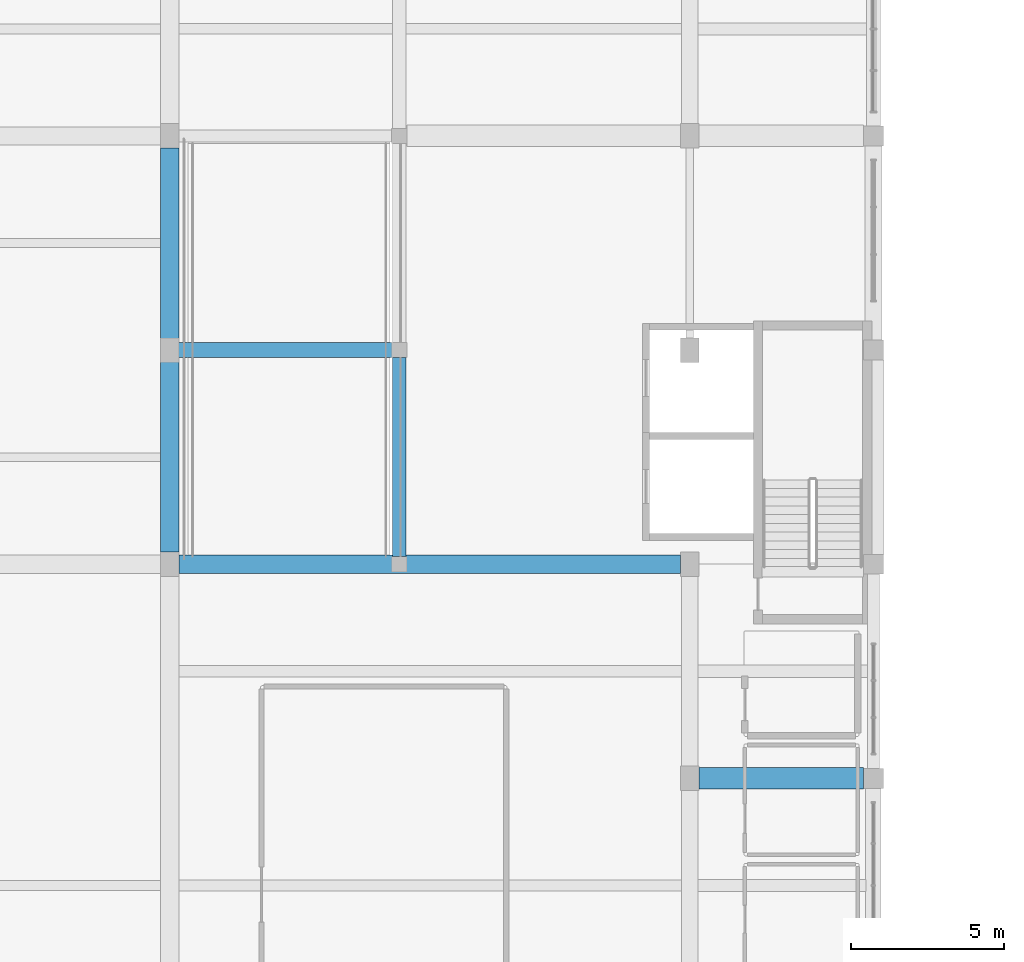
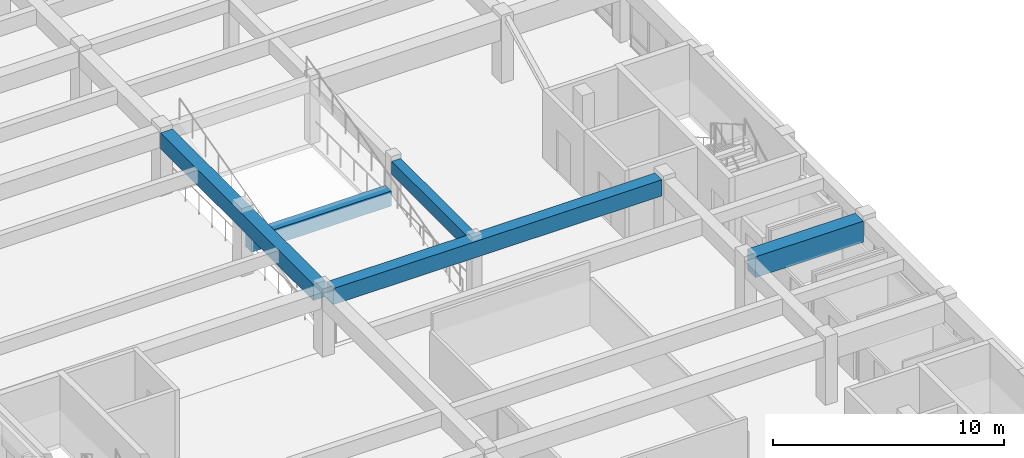
# One storey, part 38 of 77: 5 beams.
"""IFC4 building model written with IfcOpenShell, lengths in metres."""

import ifcopenshell
import ifcopenshell.guid

model = None  # the IFC model being written
_history = None  # IfcOwnerHistory: only IFC2X3 demands one
_inside = {}  # id of a spatial element -> (the spatial element, [elements in it])
_under = {}  # id of a project, library or spatial element -> (it, [spatial elements below it])
_declared = {}  # id of a project -> (the project, [libraries it declares])
_typed = {}  # id of a type object -> (the type object, [elements of that type])
_made_of = {}  # id of a material, layer set ... -> (it, [elements and type objects made of it])


def new_model(schema):
    """Start an empty IFC model of exactly this schema.

    Asked for "IFC4X3", IfcOpenShell would pick the latest addendum, in which some entities
    have other attributes; the version numbers below select the first issue.
    IFC2X3 requires an IfcOwnerHistory on every rooted entity: one is made here for all.
    """
    global model, _history
    if schema == "IFC4X3":
        model = ifcopenshell.file(schema_version=(4, 3, 0, 0))
    else:
        model = ifcopenshell.file(schema=schema)
    _inside.clear()
    _under.clear()
    _declared.clear()
    _typed.clear()
    _made_of.clear()
    _history = None
    if model.schema == "IFC2X3":
        org = make("IfcOrganization", Name="unknown")
        user = make(
            "IfcPersonAndOrganization",
            ThePerson=make("IfcPerson", FamilyName="unknown"),
            TheOrganization=org,
        )
        app = make(
            "IfcApplication",
            ApplicationDeveloper=org,
            Version="unknown",
            ApplicationFullName="unknown",
            ApplicationIdentifier="unknown",
        )
        _history = make(
            "IfcOwnerHistory",
            OwningUser=user,
            OwningApplication=app,
            ChangeAction="ADDED",
            CreationDate=0,
        )
    return model


def make(cls, **values):
    """One entity of the class cls with the attributes given. An attribute that is None is left unset."""
    return model.create_entity(
        cls, **{name: value for name, value in values.items() if value is not None}
    )


def rooted(cls, **values):
    """An entity with a GlobalId (a new one), such as an element, a storey or a relation."""
    return make(cls, GlobalId=ifcopenshell.guid.new(), OwnerHistory=_history, **values)


def si_unit(unit_type, name, prefix=None):
    """IfcSIUnit, for example si_unit("LENGTHUNIT", "METRE", prefix="MILLI")."""
    return make("IfcSIUnit", UnitType=unit_type, Prefix=prefix, Name=name)


def assignment(units):
    """IfcUnitAssignment: the units of a project."""
    return None if units is None else make("IfcUnitAssignment", Units=units)


def point(xyz):
    """IfcCartesianPoint."""
    return None if xyz is None else make("IfcCartesianPoint", Coordinates=xyz)


def direction(xyz):
    """IfcDirection."""
    return None if xyz is None else make("IfcDirection", DirectionRatios=xyz)


def frame(location, z_axis=None, x_axis=None):
    """IfcAxis2Placement3D, a coordinate frame: its origin and axes. An axis left out is left unset."""
    return make(
        "IfcAxis2Placement3D",
        Location=point(location),
        Axis=direction(z_axis),
        RefDirection=direction(x_axis),
    )


def frame_2d(location, x_axis=None):
    """IfcAxis2Placement2D, a coordinate frame in the plane: its origin and x axis."""
    return make(
        "IfcAxis2Placement2D", Location=point(location), RefDirection=direction(x_axis)
    )


def origin():
    """The frame at (0, 0, 0) with its axes left unset."""
    return frame((0.0, 0.0, 0.0))


def origin_2d():
    """The frame at (0, 0) in the plane with its x axis left unset."""
    return frame_2d((0.0, 0.0))


def place(relative_to, where):
    """IfcLocalPlacement: puts the frame where relative to a parent placement (None: the world)."""
    return make(
        "IfcLocalPlacement", PlacementRelTo=relative_to, RelativePlacement=where
    )


def context(
    kind, dimensions, precision=None, world=None, true_north=None, identifier=None
):
    """IfcGeometricRepresentationContext, for example the 3D "Model" context."""
    return make(
        "IfcGeometricRepresentationContext",
        ContextIdentifier=identifier,
        ContextType=kind,
        CoordinateSpaceDimension=dimensions,
        Precision=precision,
        WorldCoordinateSystem=world,
        TrueNorth=true_north,
    )


def subcontext(parent, identifier, kind, view, scale=None):
    """IfcGeometricRepresentationSubContext, for example "Body" below "Model"."""
    return make(
        "IfcGeometricRepresentationSubContext",
        ContextIdentifier=identifier,
        ContextType=kind,
        ParentContext=parent,
        TargetScale=scale,
        TargetView=view,
    )


def project(units=None, contexts=None):
    """IfcProject with its units and contexts."""
    return rooted(
        "IfcProject",
        Name="project",
        RepresentationContexts=contexts,
        UnitsInContext=assignment(units),
    )


def spatial(cls, under=None, at=None, **own):
    """A site, building, storey or space (cls), placed at a placement, below another one or the project."""
    s = rooted(cls, ObjectPlacement=at, **own)
    if under is not None:
        _under.setdefault(under.id(), (under, []))[1].append(s)
    return s


def profile(cls, at=None, kind="AREA", **sizes):
    """A parametric profile (cls). Its sizes go by their IFC names, for example OverallWidth=200.0."""
    return make(cls, ProfileType=kind, Position=at, **sizes)


def rectangle(**sizes):
    """IfcRectangleProfileDef."""
    return profile("IfcRectangleProfileDef", **sizes)


def extrude(swept, where, along, depth):
    """IfcExtrudedAreaSolid: the profile swept, set in the frame where, extruded along a direction by depth."""
    return make(
        "IfcExtrudedAreaSolid",
        SweptArea=swept,
        Position=where,
        ExtrudedDirection=direction(along),
        Depth=depth,
    )


def shape(context_of_items, identifier, shape_type, items):
    """IfcShapeRepresentation: the items that make up one representation, for example the "Body"."""
    return make(
        "IfcShapeRepresentation",
        ContextOfItems=context_of_items,
        RepresentationIdentifier=identifier,
        RepresentationType=shape_type,
        Items=items,
    )


def material(Name=None, Category=None):
    """IfcMaterial."""
    return make("IfcMaterial", Name=Name, Category=Category)


def material_profile(
    of_material, cross_section, Name=None, Category=None, Priority=None
):
    """IfcMaterialProfile: a cross section and its material."""
    return make(
        "IfcMaterialProfile",
        Name=Name,
        Material=of_material,
        Profile=cross_section,
        Priority=Priority,
        Category=Category,
    )


def profile_set(profiles, Name=None, composite=None):
    """IfcMaterialProfileSet."""
    return make(
        "IfcMaterialProfileSet",
        Name=Name,
        MaterialProfiles=profiles,
        CompositeProfile=composite,
    )


def made_of(thing, what):
    """Note that an element or type object is made of a material, layer set ...; save() writes the relation."""
    if what is not None:
        _made_of.setdefault(what.id(), (what, []))[1].append(thing)
    return thing


def type_object(cls, material=None, **own):
    """A type object (cls), such as IfcWallType, which elements share."""
    return made_of(rooted(cls, **own), material)


def element(
    cls,
    number,
    at=None,
    inside=None,
    cuts=None,
    type_object=None,
    material=None,
    context=None,
    identifier="Body",
    shape_type=None,
    held_by="IfcProductDefinitionShape",
    body=None,
    shapes=None,
    **own,
):
    """One element of the class cls, such as IfcWall. Its Tag is "e" and its number.

    at: its placement. inside: the storey or other place that contains it. cuts: it is an
    opening in that element (IfcRelVoidsElement). A single representation is given by context,
    identifier, shape_type and body (its items); several are given by shapes. held_by: the class
    of the entity that holds the representations. save() writes the other relations.
    """
    e = rooted(cls, Tag="e%d" % number, ObjectPlacement=at, **own)
    if body is not None:
        shapes = [shape(context, identifier, shape_type, body)]
    if shapes is not None:
        e.Representation = make(held_by, Representations=shapes)
    if inside is not None:
        _inside.setdefault(inside.id(), (inside, []))[1].append(e)
    if cuts is not None:
        rooted(
            "IfcRelVoidsElement", RelatingBuildingElement=cuts, RelatedOpeningElement=e
        )
    if type_object is not None:
        _typed.setdefault(type_object.id(), (type_object, []))[1].append(e)
    return made_of(e, material)


def aggregate(whole, parts):
    """IfcRelAggregates: a whole, such as a stair, and the parts it consists of."""
    return rooted("IfcRelAggregates", RelatingObject=whole, RelatedObjects=parts)


def save(model, path):
    """Write the relations noted so far, then the file.

    IfcRelAggregates (storeys below a building ...), IfcRelContainedInSpatialStructure (elements
    in a storey), IfcRelDefinesByType, IfcRelAssociatesMaterial and IfcRelDeclares: one each for
    every whole, place, type object, material and project.
    """
    for whole, parts in _under.values():
        aggregate(whole, parts)
    for where, things in _inside.values():
        rooted(
            "IfcRelContainedInSpatialStructure",
            RelatedElements=things,
            RelatingStructure=where,
        )
    for kind, things in _typed.values():
        rooted("IfcRelDefinesByType", RelatedObjects=things, RelatingType=kind)
    for what, things in _made_of.values():
        rooted("IfcRelAssociatesMaterial", RelatedObjects=things, RelatingMaterial=what)
    for by, libraries in _declared.values():
        rooted("IfcRelDeclares", RelatingContext=by, RelatedDefinitions=libraries)
    model.write(path)


model = new_model("IFC4")

# Units and contexts
model_context = context("Model", 3, precision=1e-05, world=origin(), true_north=direction((0.0, 1.0)))
body_context = subcontext(model_context, "Body", "Model", "MODEL_VIEW")
ifc_project = project(units=[si_unit("LENGTHUNIT", "METRE"), si_unit("AREAUNIT", "SQUARE_METRE"), si_unit("VOLUMEUNIT", "CUBIC_METRE"), si_unit("PLANEANGLEUNIT", "RADIAN"), si_unit("MASSUNIT", "GRAM", prefix="KILO")], contexts=[model_context])

# Site, building, storey
site_placement = place(None, origin())
site = spatial("IfcSite", under=ifc_project, at=site_placement, CompositionType="ELEMENT")
building_placement = place(site_placement, origin())
building = spatial("IfcBuilding", under=site, at=building_placement, Name="Larkveld Mobility Hub", CompositionType="ELEMENT")
storey_placement = place(building_placement, frame((0.0, 0.0, 12.0)))
storey = spatial("IfcBuildingStorey", under=building, at=storey_placement, Name="L03", CompositionType="ELEMENT", Elevation=12.0)

# Beams
ifc_material_1 = material(Name="Precast concrete C50/60", Category="concrete")
ifc_material_profile_1 = material_profile(ifc_material_1, rectangle(XDim=0.60009765625, YDim=0.85009765625, at=origin_2d()), Name="PC ITB 600x850")
ifc_profile_set_1 = profile_set([ifc_material_profile_1], Name="Precast concrete C50/60")
beam_type_1 = type_object("IfcBeamType", Name="BM-ITB6085", PredefinedType="T_BEAM", material=ifc_profile_set_1)
beam_1_placement = place(storey_placement, frame((129.300048828125, 56.0, 2.93505859375), z_axis=(1.0, 0.0, 0.0), x_axis=(0.0, 1.0, 0.0)))
element("IfcBeam", 1, at=beam_1_placement, inside=storey, type_object=beam_type_1, Name="Primary E-W Girder L03-0725", PredefinedType="T_BEAM", context=body_context, shape_type="SweptSolid", body=[
    extrude(rectangle(XDim=0.60009765625, YDim=0.85009765625, at=origin_2d()), origin(), (0.0, 0.0, 1.0), 16.39990234375),
])
beam_2_placement = place(storey_placement, frame((129.0, 56.39990234375, 2.93505859375), z_axis=(0.0, 1.0, 0.0), x_axis=(-1.0, 0.0, 0.0)))
element("IfcBeam", 2, at=beam_2_placement, inside=storey, type_object=beam_type_1, Name="Primary N-S Girder L03-0816", PredefinedType="T_BEAM", context=body_context, shape_type="SweptSolid", body=[
    extrude(rectangle(XDim=0.60009765625, YDim=0.85009765625, at=origin_2d()), origin(), (0.0, 0.0, 1.0), 13.2001953125),
])
ifc_material_2 = material(Name="Concrete C40/50", Category="concrete")
ifc_material_profile_2 = material_profile(ifc_material_2, rectangle(XDim=0.449951171875, YDim=0.699951171875, at=origin_2d()), Name="RC BM 450x700")
ifc_profile_set_2 = profile_set([ifc_material_profile_2], Name="Concrete C40/50")
beam_type_2 = type_object("IfcBeamType", Name="BM-RC4570", PredefinedType="BEAM", material=ifc_profile_set_2)
beam_3_placement = place(storey_placement, frame((136.5, 56.25, 3.010009765625), z_axis=(0.0, 1.0, 0.0), x_axis=(-1.0, 0.0, 0.0)))
element("IfcBeam", 3, at=beam_3_placement, inside=storey, type_object=beam_type_2, Name="Ramp Edge Girder L03-0853", PredefinedType="BEAM", context=body_context, shape_type="SweptSolid", body=[
    extrude(rectangle(XDim=0.449951171875, YDim=0.699951171875, at=origin_2d()), origin(), (0.0, 0.0, 1.0), 6.5),
])
ifc_material_profile_3 = material_profile(ifc_material_2, rectangle(XDim=0.5, YDim=0.800048828125, at=origin_2d()), Name="RC BM 500x800")
ifc_profile_set_3 = profile_set([ifc_material_profile_3], Name="Concrete C40/50")
beam_type_3 = type_object("IfcBeamType", Name="BM-RC5080", PredefinedType="BEAM", material=ifc_profile_set_3)
beam_4_placement = place(storey_placement, frame((129.280029296875, 63.0, 1.402099609375), z_axis=(1.0, 0.0, 0.0), x_axis=(0.0, 1.0, 0.0)))
element("IfcBeam", 4, at=beam_4_placement, inside=storey, type_object=beam_type_3, Name="EV Ramp Mid Support Beam L03-1776", PredefinedType="BEAM", context=body_context, shape_type="SweptSolid", body=[
    extrude(rectangle(XDim=0.5, YDim=0.800048828125, at=origin_2d()), origin(), (0.0, 0.0, 1.0), 6.989990234375),
])
ifc_material_profile_4 = material_profile(ifc_material_2, rectangle(XDim=0.699951171875, YDim=1.10009765625, at=origin_2d()), Name="RC BM 700x1100")
ifc_profile_set_4 = profile_set([ifc_material_profile_4], Name="Concrete C40/50")
beam_type_4 = type_object("IfcBeamType", Name="BM-RC70110", PredefinedType="BEAM", material=ifc_profile_set_4)
beam_5_placement = place(storey_placement, frame((146.300048828125, 49.0, 2.81005859375), z_axis=(1.0, 0.0, 0.0), x_axis=(0.0, 1.0, 0.0)))
element("IfcBeam", 5, at=beam_5_placement, inside=storey, type_object=beam_type_4, Name="Primary E-W Girder L03-0723", PredefinedType="BEAM", context=body_context, shape_type="SweptSolid", body=[
    extrude(rectangle(XDim=0.699951171875, YDim=1.10009765625, at=origin_2d()), origin(), (0.0, 0.0, 1.0), 5.375),
])

save(model, "model.ifc")
